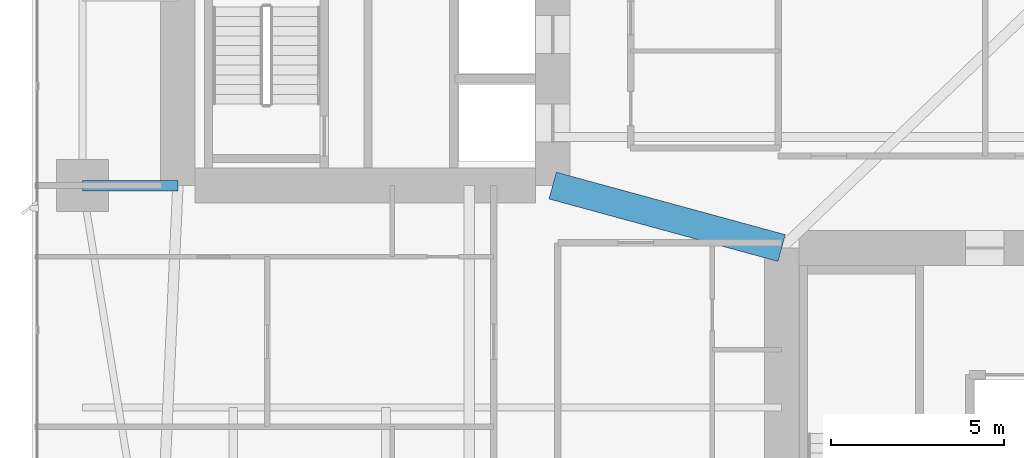
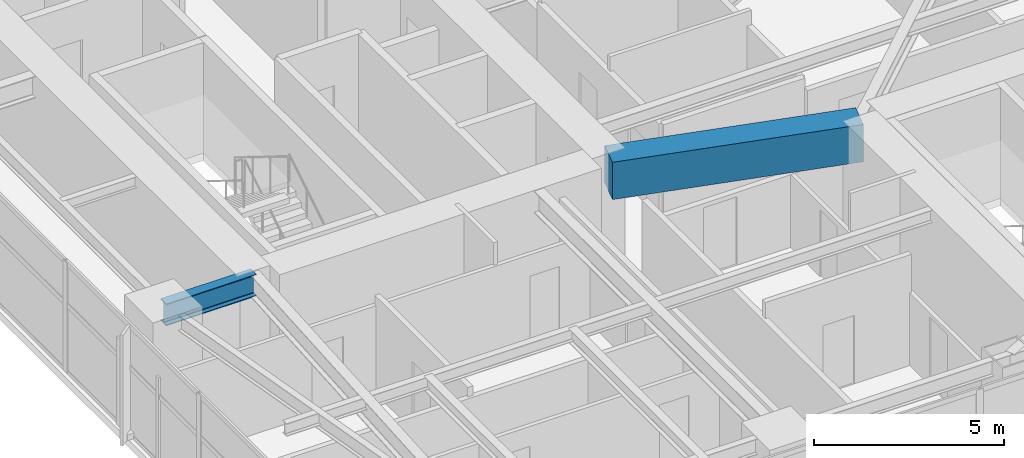
# One storey, part 7 of 29: 2 beams.
"""IFC4 building model written with IfcOpenShell, lengths in metres."""

from ifc_helpers import new_model, si_unit, direction, frame, origin, origin_2d, place, context, subcontext, project, spatial, rectangle, i_section, extrude, material, material_profile, profile_set, type_object, element, save


model = new_model("IFC4")

# Units and contexts
model_context = context("Model", 3, precision=1e-05, world=origin(), true_north=direction((0.0, 1.0)))
body_context = subcontext(model_context, "Body", "Model", "MODEL_VIEW")
ifc_project = project(units=[si_unit("LENGTHUNIT", "METRE"), si_unit("AREAUNIT", "SQUARE_METRE"), si_unit("VOLUMEUNIT", "CUBIC_METRE"), si_unit("PLANEANGLEUNIT", "RADIAN"), si_unit("MASSUNIT", "GRAM", prefix="KILO")], contexts=[model_context])

# Site, building, storey
site_placement = place(None, origin())
site = spatial("IfcSite", under=ifc_project, at=site_placement, CompositionType="ELEMENT")
building_placement = place(site_placement, origin())
building = spatial("IfcBuilding", under=site, at=building_placement, Name="Calvorn Quay Hotel", CompositionType="ELEMENT")
storey_placement = place(building_placement, frame((0.0, 0.0, 58.39990234375)))
storey = spatial("IfcBuildingStorey", under=building, at=storey_placement, Name="L13", CompositionType="ELEMENT", Elevation=58.39990234375)

# Beams
ifc_material_1 = material(Name="Steel Q390GJC", Category="steel")
ifc_material_profile_1 = material_profile(ifc_material_1, i_section(OverallWidth=0.300048828125, OverallDepth=0.699951171875, WebThickness=0.012939453125, FlangeThickness=0.02392578125, FilletRadius=0.02392578125, at=origin_2d()), Name="HN700x300x13x24")
ifc_profile_set_1 = profile_set([ifc_material_profile_1], Name="Steel Q390GJC")
beam_type_1 = type_object("IfcBeamType", Name="BM-GIRD-MAIN", PredefinedType="BEAM", material=ifc_profile_set_1)
beam_1_placement = place(storey_placement, frame((1.449951171875, 16.800048828125, 3.190185546875), z_axis=(1.0, 0.0, 0.0), x_axis=(0.0, 1.0, 0.0)))
element("IfcBeam", 1, at=beam_1_placement, inside=storey, type_object=beam_type_1, Name="Beam BG-L13-W1", PredefinedType="BEAM", context=body_context, shape_type="SweptSolid", body=[
    extrude(i_section(OverallWidth=0.300048828125, OverallDepth=0.699951171875, WebThickness=0.012939453125, FlangeThickness=0.02392578125, FilletRadius=0.02392578125, at=origin_2d()), origin(), (0.0, 0.0, 1.0), 2.75),
])
ifc_material_2 = material(Name="Concrete C60", Category="concrete")
ifc_material_profile_2 = material_profile(ifc_material_2, rectangle(XDim=0.800048828125, YDim=1.199951171875, at=origin_2d()), Name="RCB800x1200")
ifc_profile_set_2 = profile_set([ifc_material_profile_2], Name="Concrete C60")
beam_type_2 = type_object("IfcBeamType", Name="BM-RC-LINK-800x1200", PredefinedType="BEAM", material=ifc_profile_set_2)
beam_2_placement = place(storey_placement, frame((15.0, 16.800048828125, 2.940185546875), z_axis=(0.964762997686, -0.263120425462, 0.0), x_axis=(0.263120425462, 0.964762997686, 0.0)))
element("IfcBeam", 2, at=beam_2_placement, inside=storey, type_object=beam_type_2, Name="Beam BCL-L13-01", PredefinedType="BEAM", context=body_context, shape_type="SweptSolid", body=[
    extrude(rectangle(XDim=0.800048828125, YDim=1.199951171875, at=origin_2d()), origin(), (0.0, 0.0, 1.0), 6.841064453125),
])

save(model, "model.ifc")
